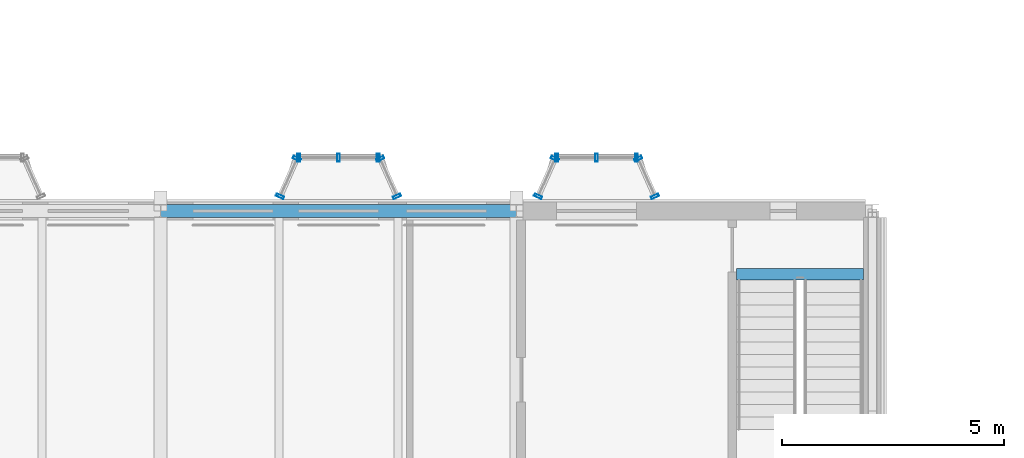
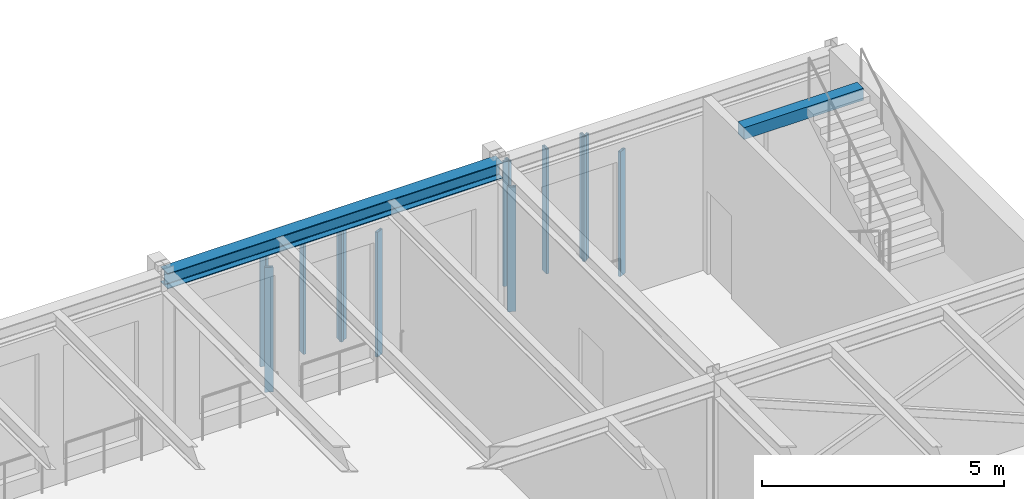
# One storey, part 56 of 153: 14 members, 2 beams, 6 elements without a shape of their own.
"""IFC4 building model written with IfcOpenShell, lengths in metres."""

from ifc_helpers import new_model, si_unit, direction, frame, origin, origin_2d, place, context, subcontext, project, spatial, rectangle, hollow_rectangle, i_section, extrude, material, material_profile, profile_set, type_object, element, aggregate, save


model = new_model("IFC4")

# Units and contexts
model_context = context("Model", 3, precision=1e-05, world=origin(), true_north=direction((0.0, 1.0)))
body_context = subcontext(model_context, "Body", "Model", "MODEL_VIEW")
ifc_project = project(units=[si_unit("LENGTHUNIT", "METRE"), si_unit("AREAUNIT", "SQUARE_METRE"), si_unit("VOLUMEUNIT", "CUBIC_METRE"), si_unit("PLANEANGLEUNIT", "RADIAN"), si_unit("MASSUNIT", "GRAM", prefix="KILO")], contexts=[model_context])

# Site, building, storey
site_placement = place(None, origin())
site = spatial("IfcSite", under=ifc_project, at=site_placement, CompositionType="ELEMENT")
building_placement = place(site_placement, origin())
building = spatial("IfcBuilding", under=site, at=building_placement, Name="Kallimachos Central Library", CompositionType="ELEMENT")
storey_placement = place(building_placement, frame((0.0, 0.0, 5.39990234375)))
storey = spatial("IfcBuildingStorey", under=building, at=storey_placement, Name="L01", CompositionType="ELEMENT", Elevation=5.39990234375)

# Curtain wall, members
ifc_material_1 = material(Name="Laminated glass in anodised aluminium", Category="aluminium")
curtain_wall_type = type_object("IfcCurtainWallType", Name="Foyer curtain wall", PredefinedType="NOTDEFINED", material=ifc_material_1)
curtain_wall_1_placement = place(storey_placement, origin())
curtain_wall_1 = element("IfcCurtainWall", 1, at=curtain_wall_1_placement, inside=storey, type_object=curtain_wall_type, Name="Tribune bay return west", PredefinedType="NOTDEFINED")
ifc_material_2 = material(Name="Anodised aluminium", Category="aluminium")
ifc_material_profile_1 = material_profile(ifc_material_2, hollow_rectangle(XDim=0.06005859375, YDim=0.179931640625, WallThickness=0.00390625, at=origin_2d()), Name="ALU MULLION 60x180")
ifc_profile_set_1 = profile_set([ifc_material_profile_1], Name="Anodised aluminium")
member_type = type_object("IfcMemberType", Name="ALU MULLION 60x180 mullion", PredefinedType="MULLION", material=ifc_profile_set_1)
member_1_placement = place(storey_placement, frame((24.687255859375, 114.327392578125, 0.150146484375), z_axis=(0.0, 0.0, 1.0), x_axis=(0.40613846606, 0.913811548617, 0.0)))
member_1 = element("IfcMember", 2, at=member_1_placement, type_object=member_type, Name="CW mullion 1", PredefinedType="MULLION", context=body_context, shape_type="SweptSolid", body=[
    extrude(hollow_rectangle(XDim=0.06005859375, YDim=0.179931640625, WallThickness=0.00390625, at=origin_2d()), origin(), (0.0, 0.0, 1.0), 3.14990234375),
])
member_2_placement = place(storey_placement, frame((25.062744140625, 115.172607421875, 0.150146484375), z_axis=(0.0, 0.0, 1.0), x_axis=(0.40613846606, 0.913811548617, 0.0)))
member_2 = element("IfcMember", 3, at=member_2_placement, type_object=member_type, Name="CW mullion 2", PredefinedType="MULLION", context=body_context, shape_type="SweptSolid", body=[
    extrude(hollow_rectangle(XDim=0.06005859375, YDim=0.179931640625, WallThickness=0.00390625, at=origin_2d()), origin(), (0.0, 0.0, 1.0), 3.14990234375),
])
aggregate(curtain_wall_1, [member_1, member_2])

curtain_wall_2_placement = place(storey_placement, origin())
curtain_wall_2 = element("IfcCurtainWall", 4, at=curtain_wall_2_placement, inside=storey, type_object=curtain_wall_type, Name="Tribune bay front", PredefinedType="NOTDEFINED")
member_3_placement = place(storey_placement, frame((25.10498046875, 115.199951171875, 0.150146484375), z_axis=(0.0, 0.0, 1.0), x_axis=(1.0, 0.0, 0.0)))
member_3 = element("IfcMember", 5, at=member_3_placement, type_object=member_type, Name="CW mullion 1", PredefinedType="MULLION", context=body_context, shape_type="SweptSolid", body=[
    extrude(hollow_rectangle(XDim=0.06005859375, YDim=0.179931640625, WallThickness=0.00390625, at=origin_2d()), origin(), (0.0, 0.0, 1.0), 3.14990234375),
])
member_4_placement = place(storey_placement, frame((26.0, 115.199951171875, 0.150146484375), z_axis=(0.0, 0.0, 1.0), x_axis=(1.0, 0.0, 0.0)))
member_4 = element("IfcMember", 6, at=member_4_placement, type_object=member_type, Name="CW mullion 2", PredefinedType="MULLION", context=body_context, shape_type="SweptSolid", body=[
    extrude(hollow_rectangle(XDim=0.06005859375, YDim=0.179931640625, WallThickness=0.00390625, at=origin_2d()), origin(), (0.0, 0.0, 1.0), 3.14990234375),
])
member_5_placement = place(storey_placement, frame((26.89501953125, 115.199951171875, 0.150146484375), z_axis=(0.0, 0.0, 1.0), x_axis=(1.0, 0.0, 0.0)))
member_5 = element("IfcMember", 7, at=member_5_placement, type_object=member_type, Name="CW mullion 3", PredefinedType="MULLION", context=body_context, shape_type="SweptSolid", body=[
    extrude(hollow_rectangle(XDim=0.06005859375, YDim=0.179931640625, WallThickness=0.00390625, at=origin_2d()), origin(), (0.0, 0.0, 1.0), 3.14990234375),
])
aggregate(curtain_wall_2, [member_3, member_4, member_5])

curtain_wall_3_placement = place(storey_placement, origin())
curtain_wall_3 = element("IfcCurtainWall", 8, at=curtain_wall_3_placement, inside=storey, type_object=curtain_wall_type, Name="Tribune bay return east", PredefinedType="NOTDEFINED")
member_6_placement = place(storey_placement, frame((26.937255859375, 115.172607421875, 0.150146484375), z_axis=(0.0, 0.0, 1.0), x_axis=(0.40613846606, -0.913811548617, 0.0)))
member_6 = element("IfcMember", 9, at=member_6_placement, type_object=member_type, Name="CW mullion 1", PredefinedType="MULLION", context=body_context, shape_type="SweptSolid", body=[
    extrude(hollow_rectangle(XDim=0.06005859375, YDim=0.179931640625, WallThickness=0.00390625, at=origin_2d()), origin(), (0.0, 0.0, 1.0), 3.14990234375),
])
member_7_placement = place(storey_placement, frame((27.312744140625, 114.327392578125, 0.150146484375), z_axis=(0.0, 0.0, 1.0), x_axis=(0.40613846606, -0.913811548617, 0.0)))
member_7 = element("IfcMember", 10, at=member_7_placement, type_object=member_type, Name="CW mullion 2", PredefinedType="MULLION", context=body_context, shape_type="SweptSolid", body=[
    extrude(hollow_rectangle(XDim=0.06005859375, YDim=0.179931640625, WallThickness=0.00390625, at=origin_2d()), origin(), (0.0, 0.0, 1.0), 3.14990234375),
])
aggregate(curtain_wall_3, [member_6, member_7])

curtain_wall_4_placement = place(storey_placement, origin())
curtain_wall_4 = element("IfcCurtainWall", 11, at=curtain_wall_4_placement, inside=storey, type_object=curtain_wall_type, Name="Tribune bay return west", PredefinedType="NOTDEFINED")
member_8_placement = place(storey_placement, frame((30.4873046875, 114.327392578125, 0.150146484375), z_axis=(0.0, 0.0, 1.0), x_axis=(0.40613846606, 0.913811548617, 0.0)))
member_8 = element("IfcMember", 12, at=member_8_placement, type_object=member_type, Name="CW mullion 1", PredefinedType="MULLION", context=body_context, shape_type="SweptSolid", body=[
    extrude(hollow_rectangle(XDim=0.06005859375, YDim=0.179931640625, WallThickness=0.00390625, at=origin_2d()), origin(), (0.0, 0.0, 1.0), 3.14990234375),
])
member_9_placement = place(storey_placement, frame((30.86279296875, 115.172607421875, 0.150146484375), z_axis=(0.0, 0.0, 1.0), x_axis=(0.40613846606, 0.913811548617, 0.0)))
member_9 = element("IfcMember", 13, at=member_9_placement, type_object=member_type, Name="CW mullion 2", PredefinedType="MULLION", context=body_context, shape_type="SweptSolid", body=[
    extrude(hollow_rectangle(XDim=0.06005859375, YDim=0.179931640625, WallThickness=0.00390625, at=origin_2d()), origin(), (0.0, 0.0, 1.0), 3.14990234375),
])
aggregate(curtain_wall_4, [member_8, member_9])

curtain_wall_5_placement = place(storey_placement, origin())
curtain_wall_5 = element("IfcCurtainWall", 14, at=curtain_wall_5_placement, inside=storey, type_object=curtain_wall_type, Name="Tribune bay front", PredefinedType="NOTDEFINED")
member_10_placement = place(storey_placement, frame((30.905029296875, 115.199951171875, 0.150146484375), z_axis=(0.0, 0.0, 1.0), x_axis=(1.0, 0.0, 0.0)))
member_10 = element("IfcMember", 15, at=member_10_placement, type_object=member_type, Name="CW mullion 1", PredefinedType="MULLION", context=body_context, shape_type="SweptSolid", body=[
    extrude(hollow_rectangle(XDim=0.06005859375, YDim=0.179931640625, WallThickness=0.00390625, at=origin_2d()), origin(), (0.0, 0.0, 1.0), 3.14990234375),
])
member_11_placement = place(storey_placement, frame((31.800048828125, 115.199951171875, 0.150146484375), z_axis=(0.0, 0.0, 1.0), x_axis=(1.0, 0.0, 0.0)))
member_11 = element("IfcMember", 16, at=member_11_placement, type_object=member_type, Name="CW mullion 2", PredefinedType="MULLION", context=body_context, shape_type="SweptSolid", body=[
    extrude(hollow_rectangle(XDim=0.06005859375, YDim=0.179931640625, WallThickness=0.00390625, at=origin_2d()), origin(), (0.0, 0.0, 1.0), 3.14990234375),
])
member_12_placement = place(storey_placement, frame((32.695068359375, 115.199951171875, 0.150146484375), z_axis=(0.0, 0.0, 1.0), x_axis=(1.0, 0.0, 0.0)))
member_12 = element("IfcMember", 17, at=member_12_placement, type_object=member_type, Name="CW mullion 3", PredefinedType="MULLION", context=body_context, shape_type="SweptSolid", body=[
    extrude(hollow_rectangle(XDim=0.06005859375, YDim=0.179931640625, WallThickness=0.00390625, at=origin_2d()), origin(), (0.0, 0.0, 1.0), 3.14990234375),
])
aggregate(curtain_wall_5, [member_10, member_11, member_12])

curtain_wall_6_placement = place(storey_placement, origin())
curtain_wall_6 = element("IfcCurtainWall", 18, at=curtain_wall_6_placement, inside=storey, type_object=curtain_wall_type, Name="Tribune bay return east", PredefinedType="NOTDEFINED")
member_13_placement = place(storey_placement, frame((32.7373046875, 115.172607421875, 0.150146484375), z_axis=(0.0, 0.0, 1.0), x_axis=(0.40613846606, -0.913811548617, 0.0)))
member_13 = element("IfcMember", 19, at=member_13_placement, type_object=member_type, Name="CW mullion 1", PredefinedType="MULLION", context=body_context, shape_type="SweptSolid", body=[
    extrude(hollow_rectangle(XDim=0.06005859375, YDim=0.179931640625, WallThickness=0.00390625, at=origin_2d()), origin(), (0.0, 0.0, 1.0), 3.14990234375),
])
member_14_placement = place(storey_placement, frame((33.11279296875, 114.327392578125, 0.150146484375), z_axis=(0.0, 0.0, 1.0), x_axis=(0.40613846606, -0.913811548617, 0.0)))
member_14 = element("IfcMember", 20, at=member_14_placement, type_object=member_type, Name="CW mullion 2", PredefinedType="MULLION", context=body_context, shape_type="SweptSolid", body=[
    extrude(hollow_rectangle(XDim=0.06005859375, YDim=0.179931640625, WallThickness=0.00390625, at=origin_2d()), origin(), (0.0, 0.0, 1.0), 3.14990234375),
])
aggregate(curtain_wall_6, [member_13, member_14])

# Beams
ifc_material_3 = material(Name="Steel S355J2", Category="steel")
ifc_material_profile_2 = material_profile(ifc_material_3, i_section(OverallWidth=0.300048828125, OverallDepth=0.389892578125, WebThickness=0.010986328125, FlangeThickness=0.01904296875, FilletRadius=0.027099609375, at=origin_2d()), Name="HEA 400")
ifc_profile_set_2 = profile_set([ifc_material_profile_2], Name="Steel S355J2")
beam_type_1 = type_object("IfcBeamType", Name="HEA 400 beam", PredefinedType="BEAM", material=ifc_profile_set_2)
beam_1_placement = place(storey_placement, frame((22.0, 114.0, 4.155029296875), z_axis=(1.0, 0.0, 0.0), x_axis=(0.0, 1.0, 0.0)))
element("IfcBeam", 21, at=beam_1_placement, inside=storey, type_object=beam_type_1, Name="V2-BEM-L01-030", PredefinedType="BEAM", context=body_context, shape_type="SweptSolid", body=[
    extrude(i_section(OverallWidth=0.300048828125, OverallDepth=0.389892578125, WebThickness=0.010986328125, FlangeThickness=0.01904296875, FilletRadius=0.027099609375, at=origin_2d()), origin(), (0.0, 0.0, 1.0), 8.0),
])
ifc_material_4 = material(Name="Concrete C30/37", Category="concrete")
ifc_material_profile_3 = material_profile(ifc_material_4, rectangle(XDim=0.260009765625, YDim=0.300048828125, at=origin_2d()), Name="RC stair trimmer beam 260 x 300")
ifc_profile_set_3 = profile_set([ifc_material_profile_3], Name="Concrete C30/37")
beam_type_2 = type_object("IfcBeamType", Name="RC stair trimmer beam 260 x 300", PredefinedType="BEAM", material=ifc_profile_set_3)
beam_2_placement = place(storey_placement, frame((34.949951171875, 112.575927734375, 4.2001953125), z_axis=(1.0, 0.0, 0.0), x_axis=(0.0, 1.0, 0.0)))
element("IfcBeam", 22, at=beam_2_placement, inside=storey, type_object=beam_type_2, Name="Stair trimmer beam ST6 L01", PredefinedType="BEAM", context=body_context, shape_type="SweptSolid", body=[
    extrude(rectangle(XDim=0.260009765625, YDim=0.300048828125, at=origin_2d()), origin(), (0.0, 0.0, 1.0), 2.85009765625),
])

save(model, "model.ifc")
